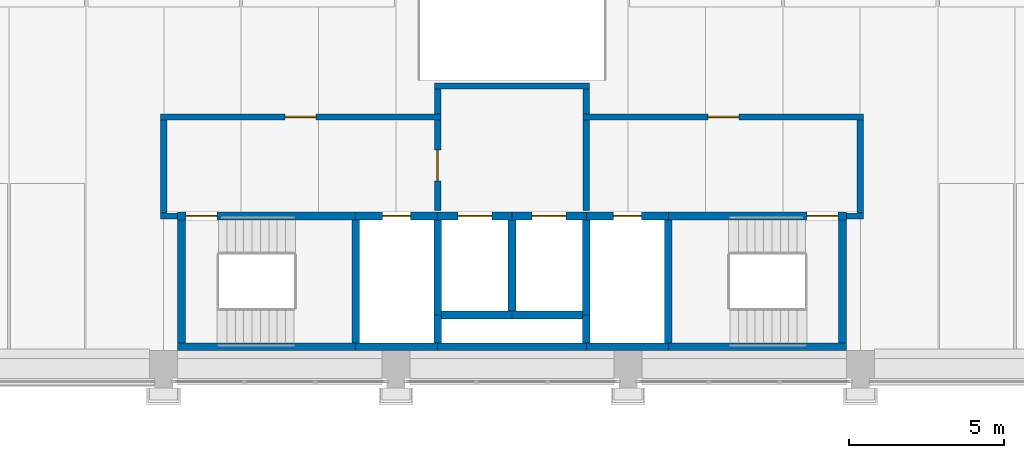
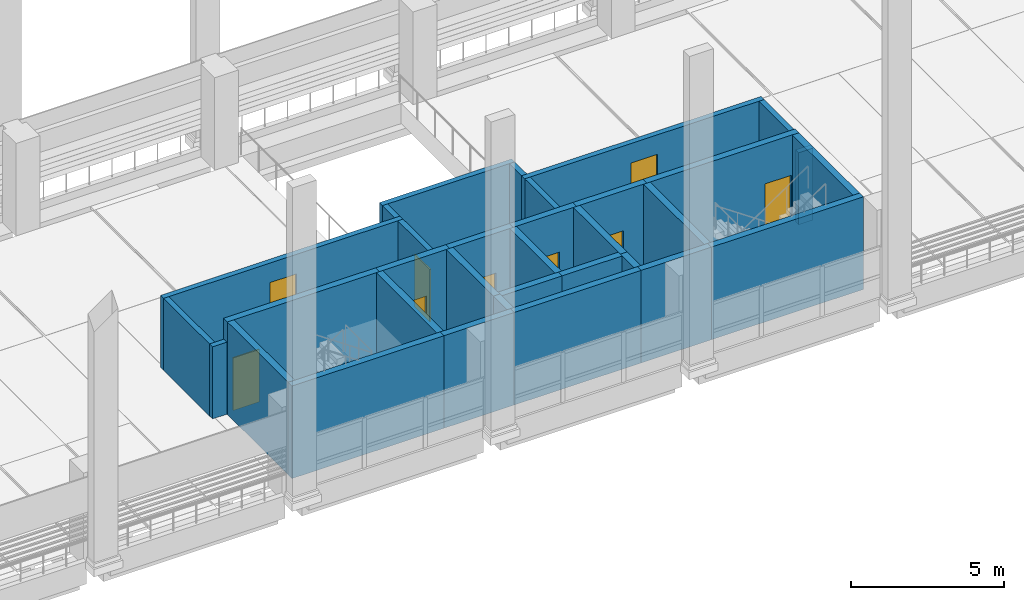
# One storey, part 36 of 67: 33 walls, 9 doors, 9 openings.
"""IFC4 building model written with IfcOpenShell, lengths in metres."""

from ifc_helpers import new_model, si_unit, direction, frame, frame_2d, origin, place, context, subcontext, project, spatial, rectangle, extrude, material, layer, layer_set, type_object, element, fill, save


model = new_model("IFC4")

# Units and contexts
model_context = context("Model", 3, precision=1e-05, world=origin(), true_north=direction((0.0, 1.0)))
body_context = subcontext(model_context, "Body", "Model", "MODEL_VIEW")
ifc_project = project(units=[si_unit("LENGTHUNIT", "METRE"), si_unit("AREAUNIT", "SQUARE_METRE"), si_unit("VOLUMEUNIT", "CUBIC_METRE"), si_unit("PLANEANGLEUNIT", "RADIAN"), si_unit("MASSUNIT", "GRAM", prefix="KILO")], contexts=[model_context])

# Site, building, storey
site_placement = place(None, origin())
site = spatial("IfcSite", under=ifc_project, at=site_placement, CompositionType="ELEMENT")
building_placement = place(site_placement, origin())
building = spatial("IfcBuilding", under=site, at=building_placement, Name="Cour d'Honneur Mobility Palace", CompositionType="ELEMENT")
storey_placement = place(building_placement, frame((0.0, 0.0, 4.5)))
storey = spatial("IfcBuildingStorey", under=building, at=storey_placement, Name="L01", CompositionType="ELEMENT", Elevation=4.5)

# Walls
ifc_material_1 = material(Name="Concrete C50", Category="concrete")
ifc_layer_1 = layer(ifc_material_1, 0.25)
ifc_layer_set_1 = layer_set([ifc_layer_1], Name="Concrete C50")
wall_type_1 = type_object("IfcWallType", Name="Lift shaft wall 250", PredefinedType="SHEAR", material=ifc_layer_set_1)
wall_1_placement = place(storey_placement, frame((78.875, 46.60009765625, 0.0), z_axis=(0.0, 0.0, 1.0), x_axis=(1.0, 0.0, 0.0)))
element("IfcWall", 1, at=wall_1_placement, inside=storey, type_object=wall_type_1, Name="Lift shaft wall WL-CC6 L01", PredefinedType="SHEAR", context=body_context, shape_type="SweptSolid", body=[
    extrude(rectangle(XDim=2.27490234375, YDim=0.25, at=frame_2d((1.137451171875, 0.0))), origin(), (0.0, 0.0, 1.0), 3.699951171875),
])
wall_2_placement = place(storey_placement, frame((81.14990234375, 46.60009765625, 0.0), z_axis=(0.0, 0.0, 1.0), x_axis=(1.0, 0.0, 0.0)))
element("IfcWall", 2, at=wall_2_placement, inside=storey, type_object=wall_type_1, Name="Lift shaft wall WL-CC7 L01", PredefinedType="SHEAR", context=body_context, shape_type="SweptSolid", body=[
    extrude(rectangle(XDim=2.275146484375, YDim=0.25, at=frame_2d((1.1376953125, 0.0))), origin(), (0.0, 0.0, 1.0), 3.699951171875),
])

# Wall, opening, door
wall_3_placement = place(storey_placement, frame((78.75, 49.800048828125, 0.0), z_axis=(0.0, 0.0, 1.0), x_axis=(1.0, 0.0, 0.0)))
wall_3 = element("IfcWall", 3, at=wall_3_placement, inside=storey, type_object=wall_type_1, Name="Lift shaft wall WL-CC10 L01", PredefinedType="SHEAR", context=body_context, shape_type="SweptSolid", body=[
    extrude(rectangle(XDim=2.39990234375, YDim=0.25, at=frame_2d((1.199951171875, 0.0))), origin(), (0.0, 0.0, 1.0), 3.699951171875),
])
opening_1_placement = place(wall_3_placement, frame((0.64990234375, 0.0, 0.0)))
opening_1 = element("IfcOpeningElement", 4, at=opening_1_placement, cuts=wall_3, Name="Opening LD42", PredefinedType="OPENING", context=body_context, shape_type="SweptSolid", body=[
    extrude(rectangle(XDim=1.10009765625, YDim=2.10009765625, at=frame_2d((0.550048828125, 1.050048828125))), frame((0.0, 0.135009765625, 0.0), z_axis=(0.0, -1.0, 0.0), x_axis=(1.0, 0.0, 0.0)), (0.0, 0.0, 1.0), 0.27001953125),
])
ifc_material_2 = material(Name="Stainless steel", Category="steel")
door_type_1 = type_object("IfcDoorType", Name="Landing door 1100 x 2100", OperationType="SLIDING_TO_LEFT", PredefinedType="DOOR", material=ifc_material_2)
door_1_placement = place(opening_1_placement, origin())
door_1 = element("IfcDoor", 5, at=door_1_placement, inside=storey, type_object=door_type_1, Name="Landing door LF-CC1 L01", OperationType="SLIDING_TO_LEFT", OverallHeight=2.10009765625, OverallWidth=1.10009765625, PredefinedType="DOOR", context=body_context, shape_type="SweptSolid", body=[
    extrude(rectangle(XDim=1.10009765625, YDim=2.10009765625, at=frame_2d((0.550048828125, 1.050048828125))), frame((0.0, 0.02490234375, 0.0), z_axis=(0.0, -1.0, 0.0), x_axis=(1.0, 0.0, 0.0)), (0.0, 0.0, 1.0), 0.050048828125),
])
fill(opening_1, door_1)

wall_4_placement = place(storey_placement, frame((81.14990234375, 49.800048828125, 0.0), z_axis=(0.0, 0.0, 1.0), x_axis=(1.0, 0.0, 0.0)))
wall_4 = element("IfcWall", 6, at=wall_4_placement, inside=storey, type_object=wall_type_1, Name="Lift shaft wall WL-CC11 L01", PredefinedType="SHEAR", context=body_context, shape_type="SweptSolid", body=[
    extrude(rectangle(XDim=2.400146484375, YDim=0.25, at=frame_2d((1.2001953125, 0.0))), origin(), (0.0, 0.0, 1.0), 3.699951171875),
])
opening_2_placement = place(wall_4_placement, frame((0.64990234375, 0.0, 0.0)))
opening_2 = element("IfcOpeningElement", 7, at=opening_2_placement, cuts=wall_4, Name="Opening LD48", PredefinedType="OPENING", context=body_context, shape_type="SweptSolid", body=[
    extrude(rectangle(XDim=1.10009765625, YDim=2.10009765625, at=frame_2d((0.550048828125, 1.050048828125))), frame((0.0, 0.135009765625, 0.0), z_axis=(0.0, -1.0, 0.0), x_axis=(1.0, 0.0, 0.0)), (0.0, 0.0, 1.0), 0.27001953125),
])
door_2_placement = place(opening_2_placement, origin())
door_2 = element("IfcDoor", 8, at=door_2_placement, inside=storey, type_object=door_type_1, Name="Landing door LF-CC2 L01", OperationType="SLIDING_TO_LEFT", OverallHeight=2.10009765625, OverallWidth=1.10009765625, PredefinedType="DOOR", context=body_context, shape_type="SweptSolid", body=[
    extrude(rectangle(XDim=1.10009765625, YDim=2.10009765625, at=frame_2d((0.550048828125, 1.050048828125))), frame((0.0, 0.02490234375, 0.0), z_axis=(0.0, -1.0, 0.0), x_axis=(1.0, 0.0, 0.0)), (0.0, 0.0, 1.0), 0.050048828125),
])
fill(opening_2, door_2)

# Walls
wall_5_placement = place(storey_placement, frame((78.75, 46.60009765625, 0.0), z_axis=(0.0, 0.0, 1.0), x_axis=(0.0, 1.0, 0.0)))
element("IfcWall", 9, at=wall_5_placement, inside=storey, type_object=wall_type_1, Name="Lift shaft wall WL-CC17 L01", PredefinedType="SHEAR", context=body_context, shape_type="SweptSolid", body=[
    extrude(rectangle(XDim=3.074951171875, YDim=0.25, at=frame_2d((1.53759765625, 0.0))), origin(), (0.0, 0.0, 1.0), 3.699951171875),
])
wall_6_placement = place(storey_placement, frame((81.14990234375, 46.72509765625, 0.0), z_axis=(0.0, 0.0, 1.0), x_axis=(0.0, 1.0, 0.0)))
element("IfcWall", 10, at=wall_6_placement, inside=storey, type_object=wall_type_1, Name="Lift shaft wall WL-CC18 L01", PredefinedType="SHEAR", context=body_context, shape_type="SweptSolid", body=[
    extrude(rectangle(XDim=2.949951171875, YDim=0.25, at=frame_2d((1.47509765625, 0.0))), origin(), (0.0, 0.0, 1.0), 3.699951171875),
])
wall_7_placement = place(storey_placement, frame((83.550048828125, 46.60009765625, 0.0), z_axis=(0.0, 0.0, 1.0), x_axis=(0.0, 1.0, 0.0)))
element("IfcWall", 11, at=wall_7_placement, inside=storey, type_object=wall_type_1, Name="Lift shaft wall WL-CC20 L01", PredefinedType="SHEAR", context=body_context, shape_type="SweptSolid", body=[
    extrude(rectangle(XDim=3.074951171875, YDim=0.25, at=frame_2d((1.53759765625, 0.0))), origin(), (0.0, 0.0, 1.0), 3.699951171875),
])
ifc_material_3 = material(Name="Gypsum plasterboard")
ifc_layer_2 = layer(ifc_material_3, 0.199951171875)
ifc_layer_set_2 = layer_set([ifc_layer_2], Name="Gypsum plasterboard")
wall_type_2 = type_object("IfcWallType", Name="Partition 200 rated EI 120", PredefinedType="PARTITIONING", material=ifc_layer_set_2)
for number, where, z_axis, x_axis, name in (
    (12, (69.800048828125, 49.800048828125, 0.0), (0.0, 0.0, 1.0), (1.0, 0.0, 0.0), "Partition 019"),
    (13, (91.949951171875, 49.800048828125, 0.0), (0.0, 0.0, 1.0), (1.0, 0.0, 0.0), "Partition 020"),
):
    element("IfcWall", number, at=place(storey_placement, frame(where, z_axis=z_axis, x_axis=x_axis)), inside=storey, type_object=wall_type_2, Name=name, PredefinedType="PARTITIONING", context=body_context, shape_type="SweptSolid", body=[
        extrude(rectangle(XDim=0.550048828125, YDim=0.199951171875, at=frame_2d((0.27490234375, 0.0))), origin(), (0.0, 0.0, 1.0), 2.8798828125),
    ])
wall_8_placement = place(storey_placement, frame((92.39990234375, 49.89990234375, 0.0), z_axis=(0.0, 0.0, 1.0), x_axis=(0.0, 1.0, 0.0)))
element("IfcWall", 14, at=wall_8_placement, inside=storey, type_object=wall_type_2, Name="Partition 021", PredefinedType="PARTITIONING", context=body_context, shape_type="SweptSolid", body=[
    extrude(rectangle(XDim=3.0, YDim=0.199951171875, at=frame_2d((1.5, 0.0))), origin(), (0.0, 0.0, 1.0), 2.8798828125),
])

# Wall, opening, door
wall_9_placement = place(storey_placement, frame((78.75, 49.97509765625, 0.0), z_axis=(0.0, 0.0, 1.0), x_axis=(0.0, 1.0, 0.0)))
wall_9 = element("IfcWall", 15, at=wall_9_placement, inside=storey, type_object=wall_type_2, Name="Partition 022", PredefinedType="PARTITIONING", context=body_context, shape_type="SweptSolid", body=[
    extrude(rectangle(XDim=2.9248046875, YDim=0.199951171875, at=frame_2d((1.46240234375, 0.0))), origin(), (0.0, 0.0, 1.0), 2.8798828125),
])
opening_3_placement = place(wall_9_placement, frame((0.96240234375, 0.0, 0.0)))
opening_3 = element("IfcOpeningElement", 16, at=opening_3_placement, cuts=wall_9, Name="Opening D0105", PredefinedType="OPENING", context=body_context, shape_type="SweptSolid", body=[
    extrude(rectangle(XDim=1.0, YDim=2.10009765625, at=frame_2d((0.5, 1.050048828125))), frame((0.0, 0.10986328125, 0.0), z_axis=(0.0, -1.0, 0.0), x_axis=(1.0, 0.0, 0.0)), (0.0, 0.0, 1.0), 0.219970703125),
])
ifc_material_4 = material(Name="Galvanised steel", Category="steel")
door_type_2 = type_object("IfcDoorType", Name="Fire door FD120 1000 x 2100", OperationType="SINGLE_SWING_LEFT", PredefinedType="DOOR", material=ifc_material_4)
door_3_placement = place(opening_3_placement, origin())
door_3 = element("IfcDoor", 17, at=door_3_placement, inside=storey, type_object=door_type_2, Name="Door Lift Lobby CC", OperationType="SINGLE_SWING_RIGHT", OverallHeight=2.10009765625, OverallWidth=1.0, PredefinedType="DOOR", context=body_context, shape_type="SweptSolid", body=[
    extrude(rectangle(XDim=1.0, YDim=2.10009765625, at=frame_2d((0.5, 1.050048828125))), frame((0.0, 0.02490234375, 0.0), z_axis=(0.0, -1.0, 0.0), x_axis=(1.0, 0.0, 0.0)), (0.0, 0.0, 1.0), 0.050048828125),
])
fill(opening_3, door_3)

# Walls
wall_10_placement = place(storey_placement, frame((83.550048828125, 49.97509765625, 0.0), z_axis=(0.0, 0.0, 1.0), x_axis=(0.0, 1.0, 0.0)))
element("IfcWall", 18, at=wall_10_placement, inside=storey, type_object=wall_type_2, Name="Partition 023", PredefinedType="PARTITIONING", context=body_context, shape_type="SweptSolid", body=[
    extrude(rectangle(XDim=2.9248046875, YDim=0.199951171875, at=frame_2d((1.46240234375, 0.0))), origin(), (0.0, 0.0, 1.0), 2.8798828125),
])
wall_11_placement = place(storey_placement, frame((69.89990234375, 52.89990234375, 0.0), z_axis=(0.0, 0.0, 1.0), x_axis=(0.0, -1.0, 0.0)))
element("IfcWall", 19, at=wall_11_placement, inside=storey, type_object=wall_type_2, Name="Partition 031", PredefinedType="PARTITIONING", context=body_context, shape_type="SweptSolid", body=[
    extrude(rectangle(XDim=3.0, YDim=0.199951171875, at=frame_2d((1.5, 0.0))), origin(), (0.0, 0.0, 1.0), 2.8798828125),
])

# Wall, opening, door
wall_12_placement = place(storey_placement, frame((78.85009765625, 53.0, 0.0), z_axis=(0.0, 0.0, 1.0), x_axis=(-1.0, 0.0, 0.0)))
wall_12 = element("IfcWall", 20, at=wall_12_placement, inside=storey, type_object=wall_type_2, Name="Partition 032", PredefinedType="PARTITIONING", context=body_context, shape_type="SweptSolid", body=[
    extrude(rectangle(XDim=9.050048828125, YDim=0.199951171875, at=frame_2d((4.52490234375, 0.0))), origin(), (0.0, 0.0, 1.0), 2.8798828125),
])
opening_4_placement = place(wall_12_placement, frame((4.02490234375, 0.0, 0.0)))
opening_4 = element("IfcOpeningElement", 21, at=opening_4_placement, cuts=wall_12, Name="Opening D0104", PredefinedType="OPENING", context=body_context, shape_type="SweptSolid", body=[
    extrude(rectangle(XDim=1.0, YDim=2.10009765625, at=frame_2d((0.5, 1.050048828125))), frame((0.0, 0.10986328125, 0.0), z_axis=(0.0, -1.0, 0.0), x_axis=(1.0, 0.0, 0.0)), (0.0, 0.0, 1.0), 0.219970703125),
])
door_4_placement = place(opening_4_placement, origin())
door_4 = element("IfcDoor", 22, at=door_4_placement, inside=storey, type_object=door_type_2, Name="Door Stair Lobby CC West", OperationType="SINGLE_SWING_LEFT", OverallHeight=2.10009765625, OverallWidth=1.0, PredefinedType="DOOR", context=body_context, shape_type="SweptSolid", body=[
    extrude(rectangle(XDim=1.0, YDim=2.10009765625, at=frame_2d((0.5, 1.050048828125))), frame((0.0, 0.02490234375, 0.0), z_axis=(0.0, -1.0, 0.0), x_axis=(1.0, 0.0, 0.0)), (0.0, 0.0, 1.0), 0.050048828125),
])
fill(opening_4, door_4)

# Wall
wall_13_placement = place(storey_placement, frame((83.550048828125, 53.10009765625, 0.0), z_axis=(0.0, 0.0, 1.0), x_axis=(0.0, 1.0, 0.0)))
element("IfcWall", 23, at=wall_13_placement, inside=storey, type_object=wall_type_2, Name="Partition 033", PredefinedType="PARTITIONING", context=body_context, shape_type="SweptSolid", body=[
    extrude(rectangle(XDim=0.7998046875, YDim=0.199951171875, at=frame_2d((0.39990234375, 0.0))), origin(), (0.0, 0.0, 1.0), 2.8798828125),
])

# Wall, opening, door
wall_14_placement = place(storey_placement, frame((92.5, 53.0, 0.0), z_axis=(0.0, 0.0, 1.0), x_axis=(-1.0, 0.0, 0.0)))
wall_14 = element("IfcWall", 24, at=wall_14_placement, inside=storey, type_object=wall_type_2, Name="Partition 034", PredefinedType="PARTITIONING", context=body_context, shape_type="SweptSolid", body=[
    extrude(rectangle(XDim=9.050048828125, YDim=0.199951171875, at=frame_2d((4.52490234375, 0.0))), origin(), (0.0, 0.0, 1.0), 2.8798828125),
])
opening_5_placement = place(wall_14_placement, frame((4.02490234375, 0.0, 0.0)))
opening_5 = element("IfcOpeningElement", 25, at=opening_5_placement, cuts=wall_14, Name="Opening D0106", PredefinedType="OPENING", context=body_context, shape_type="SweptSolid", body=[
    extrude(rectangle(XDim=1.0, YDim=2.10009765625, at=frame_2d((0.5, 1.050048828125))), frame((0.0, 0.10986328125, 0.0), z_axis=(0.0, -1.0, 0.0), x_axis=(1.0, 0.0, 0.0)), (0.0, 0.0, 1.0), 0.219970703125),
])
door_5_placement = place(opening_5_placement, origin())
door_5 = element("IfcDoor", 26, at=door_5_placement, inside=storey, type_object=door_type_2, Name="Door Stair Lobby CC East", OperationType="SINGLE_SWING_RIGHT", OverallHeight=2.10009765625, OverallWidth=1.0, PredefinedType="DOOR", context=body_context, shape_type="SweptSolid", body=[
    extrude(rectangle(XDim=1.0, YDim=2.10009765625, at=frame_2d((0.5, 1.050048828125))), frame((0.0, 0.02490234375, 0.0), z_axis=(0.0, -1.0, 0.0), x_axis=(1.0, 0.0, 0.0)), (0.0, 0.0, 1.0), 0.050048828125),
])
fill(opening_5, door_5)

# Walls
wall_15_placement = place(storey_placement, frame((78.75, 53.89990234375, 0.0), z_axis=(0.0, 0.0, 1.0), x_axis=(0.0, -1.0, 0.0)))
element("IfcWall", 27, at=wall_15_placement, inside=storey, type_object=wall_type_2, Name="Partition 035", PredefinedType="PARTITIONING", context=body_context, shape_type="SweptSolid", body=[
    extrude(rectangle(XDim=0.7998046875, YDim=0.199951171875, at=frame_2d((0.39990234375, 0.0))), origin(), (0.0, 0.0, 1.0), 2.8798828125),
])
wall_16_placement = place(storey_placement, frame((83.64990234375, 54.0, 0.0), z_axis=(0.0, 0.0, 1.0), x_axis=(-1.0, 0.0, 0.0)))
element("IfcWall", 28, at=wall_16_placement, inside=storey, type_object=wall_type_2, Name="Partition 036", PredefinedType="PARTITIONING", context=body_context, shape_type="SweptSolid", body=[
    extrude(rectangle(XDim=5.0, YDim=0.199951171875, at=frame_2d((2.5, 0.0))), origin(), (0.0, 0.0, 1.0), 2.8798828125),
])
ifc_material_5 = material(Name="Concrete C50", Category="concrete")
ifc_layer_3 = layer(ifc_material_5, 0.25)
ifc_layer_set_3 = layer_set([ifc_layer_3], Name="Concrete C50")
wall_type_3 = type_object("IfcWallType", Name="Shaft wall 250", PredefinedType="SHEAR", material=ifc_layer_set_3)
wall_17_placement = place(storey_placement, frame((76.10009765625, 45.574951171875, 0.0), z_axis=(0.0, 0.0, 1.0), x_axis=(1.0, 0.0, 0.0)))
element("IfcWall", 29, at=wall_17_placement, inside=storey, type_object=wall_type_3, Name="Shaft wall WR-CC2 L01", PredefinedType="SHEAR", context=body_context, shape_type="SweptSolid", body=[
    extrude(rectangle(XDim=2.64990234375, YDim=0.25, at=frame_2d((1.324951171875, 0.0))), origin(), (0.0, 0.0, 1.0), 3.699951171875),
])
wall_18_placement = place(storey_placement, frame((78.75, 45.574951171875, 0.0), z_axis=(0.0, 0.0, 1.0), x_axis=(1.0, 0.0, 0.0)))
element("IfcWall", 30, at=wall_18_placement, inside=storey, type_object=wall_type_3, Name="Shaft wall WR-CC3 L01", PredefinedType="SHEAR", context=body_context, shape_type="SweptSolid", body=[
    extrude(rectangle(XDim=4.800048828125, YDim=0.25, at=frame_2d((2.39990234375, 0.0))), origin(), (0.0, 0.0, 1.0), 3.699951171875),
])
wall_19_placement = place(storey_placement, frame((83.550048828125, 45.574951171875, 0.0), z_axis=(0.0, 0.0, 1.0), x_axis=(1.0, 0.0, 0.0)))
element("IfcWall", 31, at=wall_19_placement, inside=storey, type_object=wall_type_3, Name="Shaft wall WR-CC4 L01", PredefinedType="SHEAR", context=body_context, shape_type="SweptSolid", body=[
    extrude(rectangle(XDim=2.64990234375, YDim=0.25, at=frame_2d((1.324951171875, 0.0))), origin(), (0.0, 0.0, 1.0), 3.699951171875),
])

# Wall, opening, door
wall_20_placement = place(storey_placement, frame((76.10009765625, 49.800048828125, 0.0), z_axis=(0.0, 0.0, 1.0), x_axis=(1.0, 0.0, 0.0)))
wall_20 = element("IfcWall", 32, at=wall_20_placement, inside=storey, type_object=wall_type_3, Name="Shaft wall WR-CC9 L01", PredefinedType="SHEAR", context=body_context, shape_type="SweptSolid", body=[
    extrude(rectangle(XDim=2.64990234375, YDim=0.25, at=frame_2d((1.324951171875, 0.0))), origin(), (0.0, 0.0, 1.0), 3.699951171875),
])
opening_6_placement = place(wall_20_placement, frame((0.875, 0.0, 0.0)))
opening_6 = element("IfcOpeningElement", 33, at=opening_6_placement, cuts=wall_20, Name="Opening R2", PredefinedType="OPENING", context=body_context, shape_type="SweptSolid", body=[
    extrude(rectangle(XDim=0.89990234375, YDim=2.10009765625, at=frame_2d((0.449951171875, 1.050048828125))), frame((0.0, 0.135009765625, 0.0), z_axis=(0.0, -1.0, 0.0), x_axis=(1.0, 0.0, 0.0)), (0.0, 0.0, 1.0), 0.27001953125),
])
ifc_material_6 = material(Name="Galvanised steel", Category="steel")
door_type_3 = type_object("IfcDoorType", Name="Riser door FD120 900 x 2100", OperationType="SINGLE_SWING_LEFT", PredefinedType="DOOR", material=ifc_material_6)
door_6_placement = place(opening_6_placement, origin())
door_6 = element("IfcDoor", 34, at=door_6_placement, inside=storey, type_object=door_type_3, Name="Riser door CC.R1 L01", OperationType="SINGLE_SWING_LEFT", OverallHeight=2.10009765625, OverallWidth=0.89990234375, PredefinedType="DOOR", context=body_context, shape_type="SweptSolid", body=[
    extrude(rectangle(XDim=0.89990234375, YDim=2.10009765625, at=frame_2d((0.449951171875, 1.050048828125))), frame((0.0, 0.02490234375, 0.0), z_axis=(0.0, -1.0, 0.0), x_axis=(1.0, 0.0, 0.0)), (0.0, 0.0, 1.0), 0.050048828125),
])
fill(opening_6, door_6)

wall_21_placement = place(storey_placement, frame((83.550048828125, 49.800048828125, 0.0), z_axis=(0.0, 0.0, 1.0), x_axis=(1.0, 0.0, 0.0)))
wall_21 = element("IfcWall", 35, at=wall_21_placement, inside=storey, type_object=wall_type_3, Name="Shaft wall WR-CC12 L01", PredefinedType="SHEAR", context=body_context, shape_type="SweptSolid", body=[
    extrude(rectangle(XDim=2.64990234375, YDim=0.25, at=frame_2d((1.324951171875, 0.0))), origin(), (0.0, 0.0, 1.0), 3.699951171875),
])
opening_7_placement = place(wall_21_placement, frame((0.875, 0.0, 0.0)))
opening_7 = element("IfcOpeningElement", 36, at=opening_7_placement, cuts=wall_21, Name="Opening R8", PredefinedType="OPENING", context=body_context, shape_type="SweptSolid", body=[
    extrude(rectangle(XDim=0.89990234375, YDim=2.10009765625, at=frame_2d((0.449951171875, 1.050048828125))), frame((0.0, 0.135009765625, 0.0), z_axis=(0.0, -1.0, 0.0), x_axis=(1.0, 0.0, 0.0)), (0.0, 0.0, 1.0), 0.27001953125),
])
door_7_placement = place(opening_7_placement, origin())
door_7 = element("IfcDoor", 37, at=door_7_placement, inside=storey, type_object=door_type_3, Name="Riser door CC.R2 L01", OperationType="SINGLE_SWING_LEFT", OverallHeight=2.10009765625, OverallWidth=0.89990234375, PredefinedType="DOOR", context=body_context, shape_type="SweptSolid", body=[
    extrude(rectangle(XDim=0.89990234375, YDim=2.10009765625, at=frame_2d((0.449951171875, 1.050048828125))), frame((0.0, 0.02490234375, 0.0), z_axis=(0.0, -1.0, 0.0), x_axis=(1.0, 0.0, 0.0)), (0.0, 0.0, 1.0), 0.050048828125),
])
fill(opening_7, door_7)

# Walls
for number, where, z_axis, x_axis, name in (
    (38, (78.75, 45.699951171875, 0.0), (0.0, 0.0, 1.0), (0.0, 1.0, 0.0), "Shaft wall WR-CC16 L01"),
    (39, (83.550048828125, 45.699951171875, 0.0), (0.0, 0.0, 1.0), (0.0, 1.0, 0.0), "Shaft wall WR-CC19 L01"),
):
    element("IfcWall", number, at=place(storey_placement, frame(where, z_axis=z_axis, x_axis=x_axis)), inside=storey, type_object=wall_type_3, Name=name, PredefinedType="SHEAR", context=body_context, shape_type="SweptSolid", body=[
        extrude(rectangle(XDim=0.900146484375, YDim=0.25, at=frame_2d((0.4501953125, 0.0))), origin(), (0.0, 0.0, 1.0), 3.699951171875),
    ])
ifc_material_7 = material(Name="Concrete C50", Category="concrete")
ifc_layer_4 = layer(ifc_material_7, 0.25)
ifc_layer_set_4 = layer_set([ifc_layer_4], Name="Concrete C50")
wall_type_4 = type_object("IfcWallType", Name="Stair wall 250", PredefinedType="SHEAR", material=ifc_layer_set_4)
for number, where, z_axis, x_axis, name in (
    (40, (70.35009765625, 45.574951171875, 0.0), (0.0, 0.0, 1.0), (1.0, 0.0, 0.0), "Stair wall WS-CC1 L01"),
    (41, (86.199951171875, 45.574951171875, 0.0), (0.0, 0.0, 1.0), (1.0, 0.0, 0.0), "Stair wall WS-CC5 L01"),
):
    element("IfcWall", number, at=place(storey_placement, frame(where, z_axis=z_axis, x_axis=x_axis)), inside=storey, type_object=wall_type_4, Name=name, PredefinedType="SHEAR", context=body_context, shape_type="SweptSolid", body=[
        extrude(rectangle(XDim=5.75, YDim=0.25, at=frame_2d((2.875, 0.0))), origin(), (0.0, 0.0, 1.0), 3.699951171875),
    ])

# Wall, opening, door
wall_22_placement = place(storey_placement, frame((70.35009765625, 49.800048828125, 0.0), z_axis=(0.0, 0.0, 1.0), x_axis=(1.0, 0.0, 0.0)))
wall_22 = element("IfcWall", 42, at=wall_22_placement, inside=storey, type_object=wall_type_4, Name="Stair wall WS-CC8 L01", PredefinedType="SHEAR", context=body_context, shape_type="SweptSolid", body=[
    extrude(rectangle(XDim=5.75, YDim=0.25, at=frame_2d((2.875, 0.0))), origin(), (0.0, 0.0, 1.0), 3.699951171875),
])
opening_8_placement = place(wall_22_placement, frame((0.27490234375, 0.0, 0.0)))
opening_8 = element("IfcOpeningElement", 43, at=opening_8_placement, cuts=wall_22, Name="Opening S86", PredefinedType="OPENING", context=body_context, shape_type="SweptSolid", body=[
    extrude(rectangle(XDim=1.0, YDim=2.10009765625, at=frame_2d((0.5, 1.050048828125))), frame((0.0, 0.135009765625, 0.0), z_axis=(0.0, -1.0, 0.0), x_axis=(1.0, 0.0, 0.0)), (0.0, 0.0, 1.0), 0.27001953125),
])
ifc_material_8 = material(Name="Galvanised steel", Category="steel")
door_type_4 = type_object("IfcDoorType", Name="Fire door FD120 stair 1000 x 2100", OperationType="SINGLE_SWING_LEFT", PredefinedType="DOOR", material=ifc_material_8)
door_8_placement = place(opening_8_placement, origin())
door_8 = element("IfcDoor", 44, at=door_8_placement, inside=storey, type_object=door_type_4, Name="Stair door ST-CC1 L01", OperationType="SINGLE_SWING_LEFT", OverallHeight=2.10009765625, OverallWidth=1.0, PredefinedType="DOOR", context=body_context, shape_type="SweptSolid", body=[
    extrude(rectangle(XDim=1.0, YDim=2.10009765625, at=frame_2d((0.5, 1.050048828125))), frame((0.0, 0.02490234375, 0.0), z_axis=(0.0, -1.0, 0.0), x_axis=(1.0, 0.0, 0.0)), (0.0, 0.0, 1.0), 0.050048828125),
])
fill(opening_8, door_8)

wall_23_placement = place(storey_placement, frame((86.199951171875, 49.800048828125, 0.0), z_axis=(0.0, 0.0, 1.0), x_axis=(1.0, 0.0, 0.0)))
wall_23 = element("IfcWall", 45, at=wall_23_placement, inside=storey, type_object=wall_type_4, Name="Stair wall WS-CC13 L01", PredefinedType="SHEAR", context=body_context, shape_type="SweptSolid", body=[
    extrude(rectangle(XDim=5.75, YDim=0.25, at=frame_2d((2.875, 0.0))), origin(), (0.0, 0.0, 1.0), 3.699951171875),
])
opening_9_placement = place(wall_23_placement, frame((4.47509765625, 0.0, 0.0)))
opening_9 = element("IfcOpeningElement", 46, at=opening_9_placement, cuts=wall_23, Name="Opening S92", PredefinedType="OPENING", context=body_context, shape_type="SweptSolid", body=[
    extrude(rectangle(XDim=1.0, YDim=2.10009765625, at=frame_2d((0.5, 1.050048828125))), frame((0.0, 0.135009765625, 0.0), z_axis=(0.0, -1.0, 0.0), x_axis=(1.0, 0.0, 0.0)), (0.0, 0.0, 1.0), 0.27001953125),
])
door_9_placement = place(opening_9_placement, origin())
door_9 = element("IfcDoor", 47, at=door_9_placement, inside=storey, type_object=door_type_4, Name="Stair door ST-CC2 L01", OperationType="SINGLE_SWING_RIGHT", OverallHeight=2.10009765625, OverallWidth=1.0, PredefinedType="DOOR", context=body_context, shape_type="SweptSolid", body=[
    extrude(rectangle(XDim=1.0, YDim=2.10009765625, at=frame_2d((0.5, 1.050048828125))), frame((0.0, 0.02490234375, 0.0), z_axis=(0.0, -1.0, 0.0), x_axis=(1.0, 0.0, 0.0)), (0.0, 0.0, 1.0), 0.050048828125),
])
fill(opening_9, door_9)

# Walls
for number, where, z_axis, x_axis, name in (
    (48, (70.47509765625, 45.699951171875, 0.0), (0.0, 0.0, 1.0), (0.0, 1.0, 0.0), "Stair wall WS-CC14 L01"),
    (49, (76.10009765625, 45.699951171875, 0.0), (0.0, 0.0, 1.0), (0.0, 1.0, 0.0), "Stair wall WS-CC15 L01"),
    (50, (86.199951171875, 45.699951171875, 0.0), (0.0, 0.0, 1.0), (0.0, 1.0, 0.0), "Stair wall WS-CC21 L01"),
    (51, (91.824951171875, 45.699951171875, 0.0), (0.0, 0.0, 1.0), (0.0, 1.0, 0.0), "Stair wall WS-CC22 L01"),
):
    element("IfcWall", number, at=place(storey_placement, frame(where, z_axis=z_axis, x_axis=x_axis)), inside=storey, type_object=wall_type_4, Name=name, PredefinedType="SHEAR", context=body_context, shape_type="SweptSolid", body=[
        extrude(rectangle(XDim=3.97509765625, YDim=0.25, at=frame_2d((1.987548828125, 0.0))), origin(), (0.0, 0.0, 1.0), 3.699951171875),
    ])

save(model, "model.ifc")
